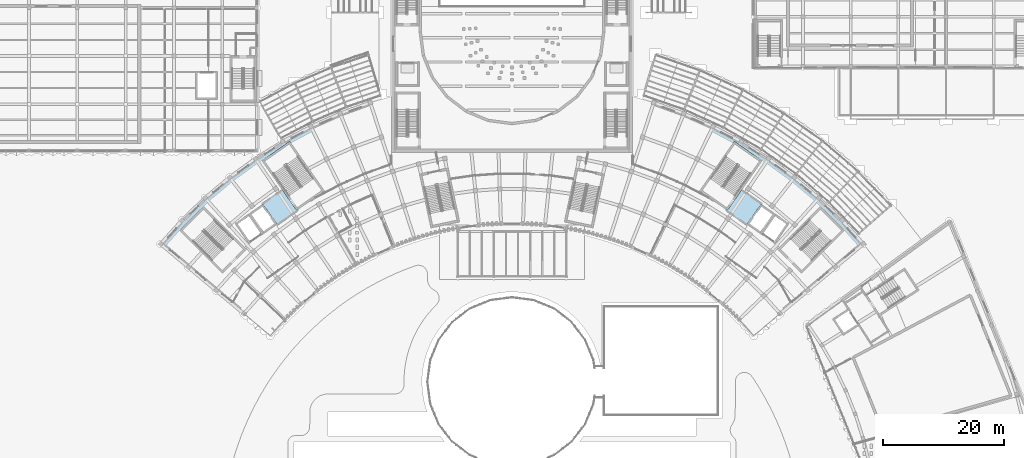
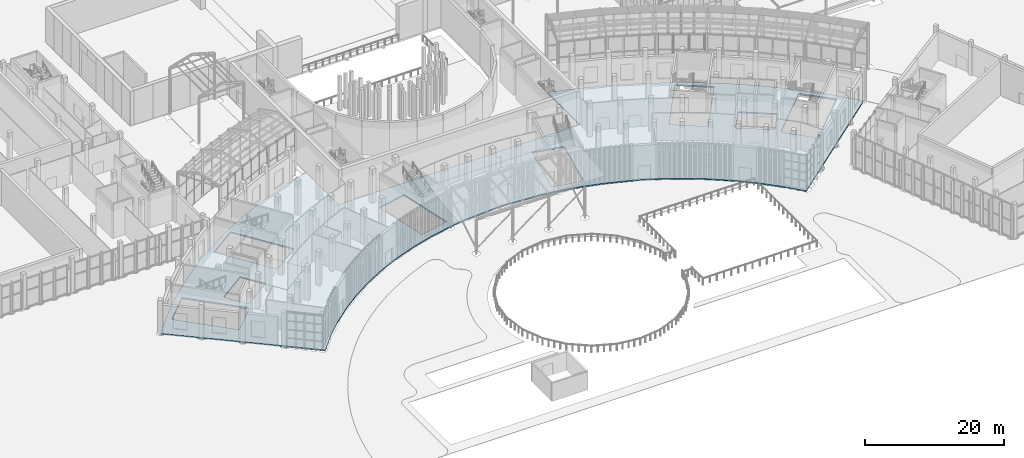
# One storey, part 78 of 155: 1 slab.
"""IFC4 building model written with IfcOpenShell, lengths in metres."""

from ifc_helpers import new_model, si_unit, direction, frame, origin, place, context, subcontext, project, spatial, polyline, outline, extrude, material, layer, layer_set, type_object, element, save


model = new_model("IFC4")

# Units and contexts
model_context = context("Model", 3, precision=1e-05, world=origin(), true_north=direction((0.0, 1.0)))
body_context = subcontext(model_context, "Body", "Model", "MODEL_VIEW")
ifc_project = project(units=[si_unit("LENGTHUNIT", "METRE"), si_unit("AREAUNIT", "SQUARE_METRE"), si_unit("VOLUMEUNIT", "CUBIC_METRE"), si_unit("PLANEANGLEUNIT", "RADIAN"), si_unit("MASSUNIT", "GRAM", prefix="KILO")], contexts=[model_context])

# Site, building, storey
site_placement = place(None, origin())
site = spatial("IfcSite", under=ifc_project, at=site_placement, CompositionType="ELEMENT")
building_placement = place(site_placement, origin())
building = spatial("IfcBuilding", under=site, at=building_placement, Name="Lunette Opera House", CompositionType="ELEMENT")
storey_placement = place(building_placement, origin())
storey = spatial("IfcBuildingStorey", under=building, at=storey_placement, Name="L00", CompositionType="ELEMENT", Elevation=0.0)

# Slab
ifc_material = material(Name="Concrete C35/45", Category="concrete")
ifc_layer = layer(ifc_material, 0.219970703125)
ifc_layer_set = layer_set([ifc_layer], Name="Concrete C35/45")
slab_type = type_object("IfcSlabType", Name="FLOOR SLAB 220", PredefinedType="FLOOR", material=ifc_layer_set)
slab_placement = place(storey_placement, frame((0.0, 0.0, -0.219970703125)))
element("IfcSlab", 1, at=slab_placement, inside=storey, type_object=slab_type, Name="slab-FC-L00-F1", PredefinedType="FLOOR", context=body_context, shape_type="SweptSolid", body=[
    extrude(outline(polyline([(133.406005859375, 36.1220703125), (135.833984375, 33.425048828125), (145.027099609375, 41.137939453125), (154.218994140625, 48.85205078125), (150.669921875, 52.7939453125), (146.85400390625, 56.47900390625), (142.7900390625, 59.888916015625), (138.4990234375, 63.007080078125), (134.0, 65.818115234375), (129.31591796875, 68.30810546875), (124.469970703125, 70.466064453125), (119.485107421875, 72.280029296875), (116.0, 73.280029296875), (116.0, 64.0), (76.0, 64.0), (76.0, 73.280029296875), (72.514892578125, 72.280029296875), (67.530029296875, 70.466064453125), (62.68408203125, 68.30810546875), (58.0, 65.818115234375), (53.5009765625, 63.007080078125), (49.2099609375, 59.888916015625), (45.14599609375, 56.47900390625), (41.330078125, 52.7939453125), (37.781005859375, 48.85205078125), (46.972900390625, 41.137939453125), (56.166015625, 33.425048828125), (58.593994140625, 36.1220703125), (61.205078125, 38.64404296875), (63.986083984375, 40.97705078125), (66.922119140625, 43.110107421875), (70.0, 45.032958984375), (73.205078125, 46.737060546875), (76.52001953125, 48.214111328125), (79.930908203125, 49.455078125), (83.419921875, 50.455078125), (86.969970703125, 51.2099609375), (90.56494140625, 51.715087890625), (94.18505859375, 51.968017578125), (97.81494140625, 51.968017578125), (101.43505859375, 51.715087890625), (105.030029296875, 51.2099609375), (108.580078125, 50.455078125), (112.069091796875, 49.455078125), (115.47998046875, 48.214111328125), (118.794921875, 46.737060546875), (122.0, 45.032958984375), (125.077880859375, 43.110107421875), (128.013916015625, 40.97705078125), (130.794921875, 38.64404296875), (133.406005859375, 36.1220703125)]), holes=[polyline([(44.912109375, 55.048095703125), (51.98291015625, 47.97705078125), (48.02294921875, 44.01708984375), (40.951904296875, 51.087890625), (44.912109375, 55.048095703125)]), polyline([(151.048095703125, 51.087890625), (143.97705078125, 44.01708984375), (140.01708984375, 47.97705078125), (147.087890625, 55.048095703125), (151.048095703125, 51.087890625)]), polyline([(50.1689453125, 52.202880859375), (52.462890625, 53.80908203125), (54.756103515625, 55.4150390625), (57.051025390625, 52.138916015625), (54.757080078125, 50.532958984375), (52.462890625, 48.927001953125), (50.1689453125, 52.202880859375)]), polyline([(139.537109375, 48.927001953125), (137.242919921875, 50.532958984375), (134.948974609375, 52.138916015625), (137.243896484375, 55.4150390625), (139.537109375, 53.80908203125), (141.8310546875, 52.202880859375), (139.537109375, 48.927001953125)]), polyline([(87.287109375, 52.535888671875), (82.592041015625, 51.5380859375), (80.699951171875, 60.43994140625), (85.39501953125, 61.43798828125), (87.287109375, 52.535888671875)]), polyline([(109.407958984375, 51.5380859375), (104.712890625, 52.535888671875), (106.60498046875, 61.43798828125), (111.300048828125, 60.43994140625), (109.407958984375, 51.5380859375)]), polyline([(59.178955078125, 65.8369140625), (64.9140625, 57.64501953125), (60.326904296875, 54.43310546875), (54.591064453125, 62.625), (59.178955078125, 65.8369140625)]), polyline([(131.673095703125, 54.43310546875), (127.0859375, 57.64501953125), (132.821044921875, 65.8369140625), (137.408935546875, 62.625), (131.673095703125, 54.43310546875)])]), origin(), (0.0, 0.0, 1.0), 0.219970703125),
])

save(model, "model.ifc")
